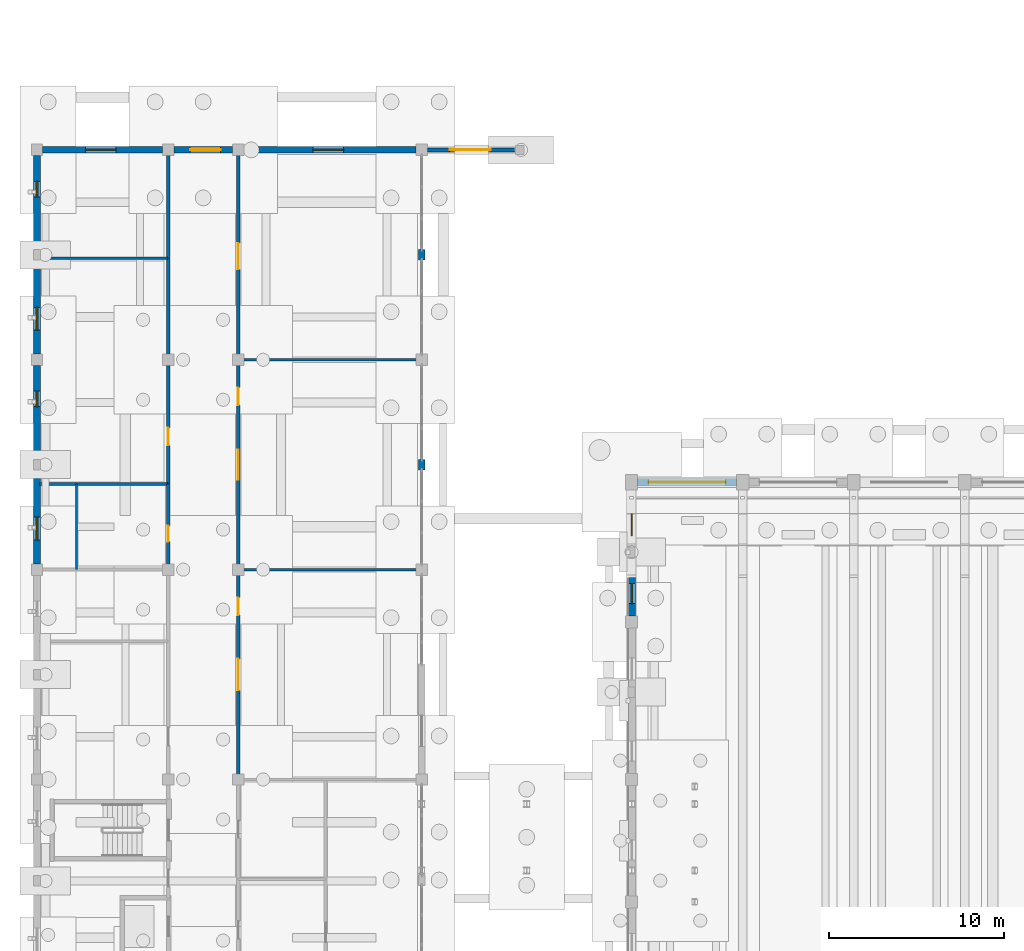
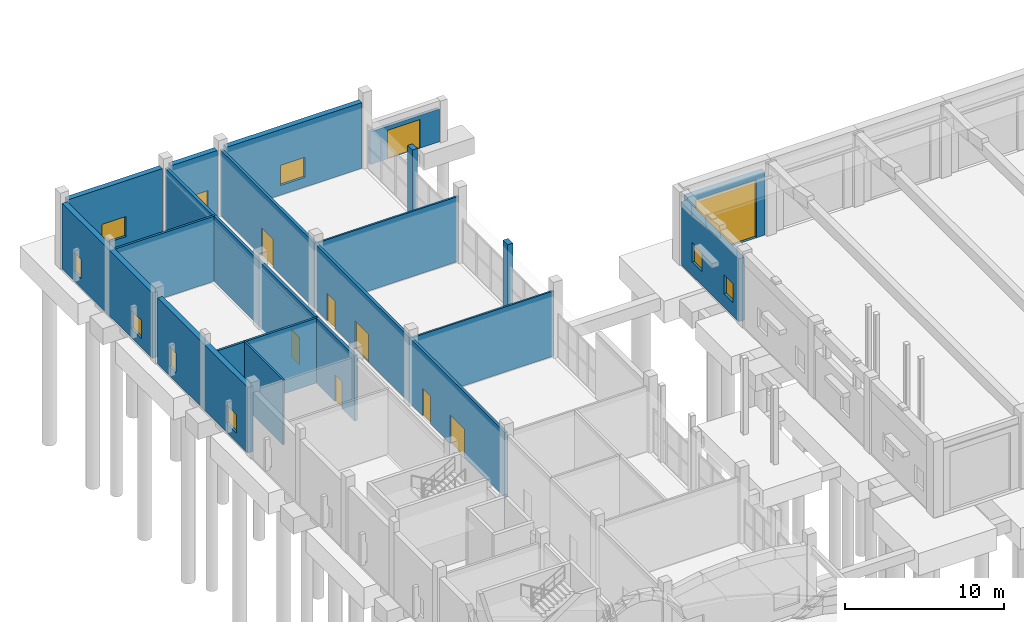
# One storey, part 36 of 60: 20 walls, 10 doors, 8 windows, 18 openings.
"""IFC4 building model written with IfcOpenShell, lengths in metres."""

from ifc_helpers import new_model, si_unit, direction, frame, frame_2d, origin, place, context, subcontext, project, spatial, rectangle, extrude, material, layer, layer_set, type_object, element, fill, save


model = new_model("IFC4")

# Units and contexts
model_context = context("Model", 3, precision=1e-05, world=origin(), true_north=direction((0.0, 1.0)))
body_context = subcontext(model_context, "Body", "Model", "MODEL_VIEW")
ifc_project = project(units=[si_unit("LENGTHUNIT", "METRE"), si_unit("AREAUNIT", "SQUARE_METRE"), si_unit("VOLUMEUNIT", "CUBIC_METRE"), si_unit("PLANEANGLEUNIT", "RADIAN"), si_unit("MASSUNIT", "GRAM", prefix="KILO")], contexts=[model_context])

# Site, building, storey
site_placement = place(None, origin())
site = spatial("IfcSite", under=ifc_project, at=site_placement, CompositionType="ELEMENT")
building_placement = place(site_placement, origin())
building = spatial("IfcBuilding", under=site, at=building_placement, Name="Trellovar Central Fire Station", CompositionType="ELEMENT")
storey_placement = place(building_placement, origin())
storey = spatial("IfcBuildingStorey", under=building, at=storey_placement, Name="L01", CompositionType="ELEMENT", Elevation=0.0)

# Wall, opening, door
ifc_material_1 = material(Name="Catalan polychrome brickwork with insulated cavity", Category="masonry")
ifc_layer_1 = layer(ifc_material_1, 0.419921875)
ifc_layer_set_1 = layer_set([ifc_layer_1], Name="Catalan polychrome brickwork with insulated cavity")
wall_type_1 = type_object("IfcWallType", Name="EW-1", PredefinedType="STANDARD", material=ifc_layer_set_1)
wall_1_placement = place(storey_placement, frame((41.0, 46.0, 0.0), z_axis=(0.0, 0.0, 1.0), x_axis=(-1.0, 0.0, 0.0)))
wall_1 = element("IfcWall", 1, at=wall_1_placement, inside=storey, type_object=wall_type_1, Name="V1 north facade bay 1", PredefinedType="STANDARD", context=body_context, shape_type="SweptSolid", body=[
    extrude(rectangle(XDim=5.64990234375, YDim=0.419921875, at=frame_2d((2.824951171875, 0.0))), origin(), (0.0, 0.0, 1.0), 4.840087890625),
])
opening_1_placement = place(wall_1_placement, frame((0.625, 0.0, 0.0)))
opening_1 = element("IfcOpeningElement", 2, at=opening_1_placement, cuts=wall_1, Name="Opening BD-1", PredefinedType="OPENING", context=body_context, shape_type="SweptSolid", body=[
    extrude(rectangle(XDim=4.39990234375, YDim=4.449951171875, at=frame_2d((2.199951171875, 2.22509765625))), frame((0.0, 0.219970703125, 0.0), z_axis=(0.0, -1.0, 0.0), x_axis=(1.0, 0.0, 0.0)), (0.0, 0.0, 1.0), 0.43994140625),
])
ifc_material_2 = material(Name="Glazed terracotta-orange insulated steel roller shutter", Category="masonry")
door_type_1 = type_object("IfcDoorType", Name="DR-BAY1", OperationType="ROLLINGUP", PredefinedType="DOOR", material=ifc_material_2)
door_1_placement = place(opening_1_placement, origin())
door_1 = element("IfcDoor", 3, at=door_1_placement, inside=storey, type_object=door_type_1, Name="North yard drive-through bay 1 door", OperationType="ROLLINGUP", OverallHeight=4.449951171875, OverallWidth=4.39990234375, PredefinedType="DOOR", context=body_context, shape_type="SweptSolid", body=[
    extrude(rectangle(XDim=4.39990234375, YDim=4.449951171875, at=frame_2d((2.199951171875, 2.22509765625))), frame((0.0, 0.02490234375, 0.0), z_axis=(0.0, -1.0, 0.0), x_axis=(1.0, 0.0, 0.0)), (0.0, 0.0, 1.0), 0.050048828125),
])
fill(opening_1, door_1)

# Wall, openings, windows
wall_2_placement = place(storey_placement, frame((35.0, 38.35009765625, 0.0), z_axis=(0.0, 0.0, 1.0), x_axis=(0.0, 1.0, 0.0)))
wall_2 = element("IfcWall", 4, at=wall_2_placement, inside=storey, type_object=wall_type_1, Name="V1 W gable lower wall 4", PredefinedType="STANDARD", context=body_context, shape_type="SweptSolid", body=[
    extrude(rectangle(XDim=7.25, YDim=0.419921875, at=frame_2d((3.625, 0.0))), origin(), (0.0, 0.0, 1.0), 4.840087890625),
])
opening_2_placement = place(wall_2_placement, frame((0.699951171875, 0.0, 1.050048828125)))
opening_2 = element("IfcOpeningElement", 5, at=opening_2_placement, cuts=wall_2, Name="Opening W-01", PredefinedType="OPENING", context=body_context, shape_type="SweptSolid", body=[
    extrude(rectangle(XDim=1.14990234375, YDim=1.449951171875, at=frame_2d((0.574951171875, 0.72509765625))), frame((0.0, 0.219970703125, 0.0), z_axis=(0.0, -1.0, 0.0), x_axis=(1.0, 0.0, 0.0)), (0.0, 0.0, 1.0), 0.43994140625),
])
opening_3_placement = place(wall_2_placement, frame((4.60009765625, 0.0, 1.050048828125)))
opening_3 = element("IfcOpeningElement", 6, at=opening_3_placement, cuts=wall_2, Name="Opening W-14", PredefinedType="OPENING", context=body_context, shape_type="SweptSolid", body=[
    extrude(rectangle(XDim=1.25, YDim=1.5, at=frame_2d((0.625, 0.75))), frame((0.0, 0.219970703125, 0.0), z_axis=(0.0, -1.0, 0.0), x_axis=(1.0, 0.0, 0.0)), (0.0, 0.0, 1.0), 0.43994140625),
])
ifc_material_3 = material(Name="Thermally broken bronze anodized aluminum", Category="aluminium")
window_type_1 = type_object("IfcWindowType", Name="WIN-01", PartitioningType="SINGLE_PANEL", PredefinedType="WINDOW", material=ifc_material_3)
window_1_placement = place(opening_2_placement, origin())
window_1 = element("IfcWindow", 7, at=window_1_placement, inside=storey, type_object=window_type_1, Name="L01 window W-01", OverallHeight=1.449951171875, OverallWidth=1.14990234375, PartitioningType="SINGLE_PANEL", PredefinedType="WINDOW", context=body_context, shape_type="SweptSolid", body=[
    extrude(rectangle(XDim=1.14990234375, YDim=1.449951171875, at=frame_2d((0.574951171875, 0.72509765625))), frame((0.0, 0.030029296875, 0.0), z_axis=(0.0, -1.0, 0.0), x_axis=(1.0, 0.0, 0.0)), (0.0, 0.0, 1.0), 0.06005859375),
])
fill(opening_2, window_1)
ifc_material_4 = material(Name="Thermally broken bronze anodized aluminum", Category="aluminium")
window_type_2 = type_object("IfcWindowType", Name="WIN-14", PartitioningType="SINGLE_PANEL", PredefinedType="WINDOW", material=ifc_material_4)
window_2_placement = place(opening_3_placement, origin())
window_2 = element("IfcWindow", 8, at=window_2_placement, inside=storey, type_object=window_type_2, Name="L01 window W-14", OverallHeight=1.5, OverallWidth=1.25, PartitioningType="SINGLE_PANEL", PredefinedType="WINDOW", context=body_context, shape_type="SweptSolid", body=[
    extrude(rectangle(XDim=1.25, YDim=1.5, at=frame_2d((0.625, 0.75))), frame((0.0, 0.030029296875, 0.0), z_axis=(0.0, -1.0, 0.0), x_axis=(1.0, 0.0, 0.0)), (0.0, 0.0, 1.0), 0.06005859375),
])
fill(opening_3, window_2)

# Wall, opening, window
ifc_material_5 = material(Name="Catalan polychrome brickwork with insulated cavity", Category="masonry")
ifc_layer_2 = layer(ifc_material_5, 0.3798828125)
ifc_layer_set_2 = layer_set([ifc_layer_2], Name="Catalan polychrome brickwork with insulated cavity")
wall_type_2 = type_object("IfcWallType", Name="EW-2", PredefinedType="STANDARD", material=ifc_layer_set_2)
wall_3_placement = place(storey_placement, frame((8.175048828125, 65.0, 0.0), z_axis=(0.0, 0.0, 1.0), x_axis=(-1.0, 0.0, 0.0)))
wall_3 = element("IfcWall", 9, at=wall_3_placement, inside=storey, type_object=wall_type_2, Name="V4 L01 north wall 1", PredefinedType="STANDARD", context=body_context, shape_type="SweptSolid", body=[
    extrude(rectangle(XDim=6.85009765625, YDim=0.3798828125, at=frame_2d((3.425048828125, 0.0))), origin(), (0.0, 0.0, 1.0), 5.050048828125),
])
opening_4_placement = place(wall_3_placement, frame((2.64990234375, 0.0, 0.75)))
opening_4 = element("IfcOpeningElement", 10, at=opening_4_placement, cuts=wall_3, Name="Opening W-03", PredefinedType="OPENING", context=body_context, shape_type="SweptSolid", body=[
    extrude(rectangle(XDim=1.75, YDim=1.550048828125, at=frame_2d((0.875, 0.77490234375))), frame((0.0, 0.199951171875, 0.0), z_axis=(0.0, -1.0, 0.0), x_axis=(1.0, 0.0, 0.0)), (0.0, 0.0, 1.0), 0.39990234375),
])
ifc_material_6 = material(Name="Thermally broken bronze anodized aluminum", Category="aluminium")
window_type_3 = type_object("IfcWindowType", Name="WIN-03", PartitioningType="DOUBLE_PANEL_VERTICAL", PredefinedType="WINDOW", material=ifc_material_6)
window_3_placement = place(opening_4_placement, origin())
window_3 = element("IfcWindow", 11, at=window_3_placement, inside=storey, type_object=window_type_3, Name="L01 window W-03", OverallHeight=1.550048828125, OverallWidth=1.75, PartitioningType="DOUBLE_PANEL_VERTICAL", PredefinedType="WINDOW", context=body_context, shape_type="SweptSolid", body=[
    extrude(rectangle(XDim=1.75, YDim=1.550048828125, at=frame_2d((0.875, 0.77490234375))), frame((0.0, 0.030029296875, 0.0), z_axis=(0.0, -1.0, 0.0), x_axis=(1.0, 0.0, 0.0)), (0.0, 0.0, 1.0), 0.06005859375),
])
fill(opening_4, window_3)

# Wall, opening, door
wall_4_placement = place(storey_placement, frame((12.175048828125, 65.0, 0.0), z_axis=(0.0, 0.0, 1.0), x_axis=(-1.0, 0.0, 0.0)))
wall_4 = element("IfcWall", 12, at=wall_4_placement, inside=storey, type_object=wall_type_2, Name="V4 L01 north wall 2", PredefinedType="STANDARD", context=body_context, shape_type="SweptSolid", body=[
    extrude(rectangle(XDim=3.35009765625, YDim=0.3798828125, at=frame_2d((1.675048828125, 0.0))), origin(), (0.0, 0.0, 1.0), 5.050048828125),
])
opening_5_placement = place(wall_4_placement, frame((0.675048828125, 0.0, 0.0)))
opening_5 = element("IfcOpeningElement", 13, at=opening_5_placement, cuts=wall_4, Name="Opening EX-2", PredefinedType="OPENING", context=body_context, shape_type="SweptSolid", body=[
    extrude(rectangle(XDim=1.75, YDim=2.199951171875, at=frame_2d((0.875, 1.10009765625))), frame((0.0, 0.199951171875, 0.0), z_axis=(0.0, -1.0, 0.0), x_axis=(1.0, 0.0, 0.0)), (0.0, 0.0, 1.0), 0.39990234375),
])
ifc_material_7 = material(Name="Hollow galvanized steel with acoustic core", Category="steel")
door_type_2 = type_object("IfcDoorType", Name="DR-EXT2", OperationType="DOUBLE_DOOR_SINGLE_SWING", PredefinedType="DOOR", material=ifc_material_7)
door_2_placement = place(opening_5_placement, frame((1.75, 0.0, 0.0), z_axis=(0.0, 0.0, 1.0), x_axis=(-1.0, 0.0, 0.0)))
door_2 = element("IfcDoor", 14, at=door_2_placement, inside=storey, type_object=door_type_2, Name="Crew corridor north drill yard exit", OperationType="DOUBLE_DOOR_SINGLE_SWING", OverallHeight=2.199951171875, OverallWidth=1.75, PredefinedType="DOOR", context=body_context, shape_type="SweptSolid", body=[
    extrude(rectangle(XDim=1.75, YDim=2.199951171875, at=frame_2d((0.875, 1.10009765625))), frame((0.0, 0.02490234375, 0.0), z_axis=(0.0, -1.0, 0.0), x_axis=(1.0, 0.0, 0.0)), (0.0, 0.0, 1.0), 0.050048828125),
])
fill(opening_5, door_2)

# Wall, opening, window
wall_5_placement = place(storey_placement, frame((22.675048828125, 65.0, 0.0), z_axis=(0.0, 0.0, 1.0), x_axis=(-1.0, 0.0, 0.0)))
wall_5 = element("IfcWall", 15, at=wall_5_placement, inside=storey, type_object=wall_type_2, Name="V4 L01 north wall 3", PredefinedType="STANDARD", context=body_context, shape_type="SweptSolid", body=[
    extrude(rectangle(XDim=9.85009765625, YDim=0.3798828125, at=frame_2d((4.925048828125, 0.0))), origin(), (0.0, 0.0, 1.0), 5.050048828125),
])
opening_6_placement = place(wall_5_placement, frame((4.14990234375, 0.0, 0.75)))
opening_6 = element("IfcOpeningElement", 16, at=opening_6_placement, cuts=wall_5, Name="Opening W-03", PredefinedType="OPENING", context=body_context, shape_type="SweptSolid", body=[
    extrude(rectangle(XDim=1.75, YDim=1.550048828125, at=frame_2d((0.875, 0.77490234375))), frame((0.0, 0.199951171875, 0.0), z_axis=(0.0, -1.0, 0.0), x_axis=(1.0, 0.0, 0.0)), (0.0, 0.0, 1.0), 0.39990234375),
])
window_4_placement = place(opening_6_placement, origin())
window_4 = element("IfcWindow", 17, at=window_4_placement, inside=storey, type_object=window_type_3, Name="L01 window W-03", OverallHeight=1.550048828125, OverallWidth=1.75, PartitioningType="DOUBLE_PANEL_VERTICAL", PredefinedType="WINDOW", context=body_context, shape_type="SweptSolid", body=[
    extrude(rectangle(XDim=1.75, YDim=1.550048828125, at=frame_2d((0.875, 0.77490234375))), frame((0.0, 0.030029296875, 0.0), z_axis=(0.0, -1.0, 0.0), x_axis=(1.0, 0.0, 0.0)), (0.0, 0.0, 1.0), 0.06005859375),
])
fill(opening_6, window_4)

# Wall, openings, windows
wall_6_placement = place(storey_placement, frame((1.0, 52.675048828125, 0.0), z_axis=(0.0, 0.0, 1.0), x_axis=(0.0, -1.0, 0.0)))
wall_6 = element("IfcWall", 18, at=wall_6_placement, inside=storey, type_object=wall_type_2, Name="V4 L01 west wall", PredefinedType="STANDARD", context=body_context, shape_type="SweptSolid", body=[
    extrude(rectangle(XDim=11.35009765625, YDim=0.3798828125, at=frame_2d((5.675048828125, 0.0))), origin(), (0.0, 0.0, 1.0), 5.050048828125),
])
opening_7_placement = place(wall_6_placement, frame((1.47509765625, 0.0, 0.699951171875)))
opening_7 = element("IfcOpeningElement", 19, at=opening_7_placement, cuts=wall_6, Name="Opening W-07", PredefinedType="OPENING", context=body_context, shape_type="SweptSolid", body=[
    extrude(rectangle(XDim=0.8798828125, YDim=1.5, at=frame_2d((0.43994140625, 0.75))), frame((0.0, 0.199951171875, 0.0), z_axis=(0.0, -1.0, 0.0), x_axis=(1.0, 0.0, 0.0)), (0.0, 0.0, 1.0), 0.39990234375),
])
opening_8_placement = place(wall_6_placement, frame((8.675048828125, 0.0, 0.699951171875)))
opening_8 = element("IfcOpeningElement", 20, at=opening_8_placement, cuts=wall_6, Name="Opening W-09", PredefinedType="OPENING", context=body_context, shape_type="SweptSolid", body=[
    extrude(rectangle(XDim=1.300048828125, YDim=1.39990234375, at=frame_2d((0.64990234375, 0.699951171875))), frame((0.0, 0.199951171875, 0.0), z_axis=(0.0, -1.0, 0.0), x_axis=(1.0, 0.0, 0.0)), (0.0, 0.0, 1.0), 0.39990234375),
])
ifc_material_8 = material(Name="Thermally broken bronze anodized aluminum", Category="aluminium")
window_type_4 = type_object("IfcWindowType", Name="WIN-07", PartitioningType="SINGLE_PANEL", PredefinedType="WINDOW", material=ifc_material_8)
window_5_placement = place(opening_7_placement, origin())
window_5 = element("IfcWindow", 21, at=window_5_placement, inside=storey, type_object=window_type_4, Name="L01 window W-07", OverallHeight=1.5, OverallWidth=0.8798828125, PartitioningType="SINGLE_PANEL", PredefinedType="WINDOW", context=body_context, shape_type="SweptSolid", body=[
    extrude(rectangle(XDim=0.8798828125, YDim=1.5, at=frame_2d((0.43994140625, 0.75))), frame((0.0, 0.030029296875, 0.0), z_axis=(0.0, -1.0, 0.0), x_axis=(1.0, 0.0, 0.0)), (0.0, 0.0, 1.0), 0.06005859375),
])
fill(opening_7, window_5)
ifc_material_9 = material(Name="Thermally broken bronze anodized aluminum", Category="aluminium")
window_type_5 = type_object("IfcWindowType", Name="WIN-09", PartitioningType="SINGLE_PANEL", PredefinedType="WINDOW", material=ifc_material_9)
window_6_placement = place(opening_8_placement, origin())
window_6 = element("IfcWindow", 22, at=window_6_placement, inside=storey, type_object=window_type_5, Name="L01 window W-09", OverallHeight=1.39990234375, OverallWidth=1.300048828125, PartitioningType="SINGLE_PANEL", PredefinedType="WINDOW", context=body_context, shape_type="SweptSolid", body=[
    extrude(rectangle(XDim=1.300048828125, YDim=1.39990234375, at=frame_2d((0.64990234375, 0.699951171875))), frame((0.0, 0.030029296875, 0.0), z_axis=(0.0, -1.0, 0.0), x_axis=(1.0, 0.0, 0.0)), (0.0, 0.0, 1.0), 0.06005859375),
])
fill(opening_8, window_6)

wall_7_placement = place(storey_placement, frame((1.0, 64.675048828125, 0.0), z_axis=(0.0, 0.0, 1.0), x_axis=(0.0, -1.0, 0.0)))
wall_7 = element("IfcWall", 23, at=wall_7_placement, inside=storey, type_object=wall_type_2, Name="V4 L01 west wall", PredefinedType="STANDARD", context=body_context, shape_type="SweptSolid", body=[
    extrude(rectangle(XDim=11.35009765625, YDim=0.3798828125, at=frame_2d((5.675048828125, 0.0))), origin(), (0.0, 0.0, 1.0), 5.050048828125),
])
opening_9_placement = place(wall_7_placement, frame((1.47509765625, 0.0, 0.699951171875)))
opening_9 = element("IfcOpeningElement", 24, at=opening_9_placement, cuts=wall_7, Name="Opening W-07", PredefinedType="OPENING", context=body_context, shape_type="SweptSolid", body=[
    extrude(rectangle(XDim=0.8798828125, YDim=1.5, at=frame_2d((0.43994140625, 0.75))), frame((0.0, 0.199951171875, 0.0), z_axis=(0.0, -1.0, 0.0), x_axis=(1.0, 0.0, 0.0)), (0.0, 0.0, 1.0), 0.39990234375),
])
opening_10_placement = place(wall_7_placement, frame((8.675048828125, 0.0, 0.699951171875)))
opening_10 = element("IfcOpeningElement", 25, at=opening_10_placement, cuts=wall_7, Name="Opening W-09", PredefinedType="OPENING", context=body_context, shape_type="SweptSolid", body=[
    extrude(rectangle(XDim=1.300048828125, YDim=1.39990234375, at=frame_2d((0.64990234375, 0.699951171875))), frame((0.0, 0.199951171875, 0.0), z_axis=(0.0, -1.0, 0.0), x_axis=(1.0, 0.0, 0.0)), (0.0, 0.0, 1.0), 0.39990234375),
])
window_7_placement = place(opening_9_placement, origin())
window_7 = element("IfcWindow", 26, at=window_7_placement, inside=storey, type_object=window_type_4, Name="L01 window W-07", OverallHeight=1.5, OverallWidth=0.8798828125, PartitioningType="SINGLE_PANEL", PredefinedType="WINDOW", context=body_context, shape_type="SweptSolid", body=[
    extrude(rectangle(XDim=0.8798828125, YDim=1.5, at=frame_2d((0.43994140625, 0.75))), frame((0.0, 0.030029296875, 0.0), z_axis=(0.0, -1.0, 0.0), x_axis=(1.0, 0.0, 0.0)), (0.0, 0.0, 1.0), 0.06005859375),
])
fill(opening_9, window_7)
window_8_placement = place(opening_10_placement, origin())
window_8 = element("IfcWindow", 27, at=window_8_placement, inside=storey, type_object=window_type_5, Name="L01 window W-09", OverallHeight=1.39990234375, OverallWidth=1.300048828125, PartitioningType="SINGLE_PANEL", PredefinedType="WINDOW", context=body_context, shape_type="SweptSolid", body=[
    extrude(rectangle(XDim=1.300048828125, YDim=1.39990234375, at=frame_2d((0.64990234375, 0.699951171875))), frame((0.0, 0.030029296875, 0.0), z_axis=(0.0, -1.0, 0.0), x_axis=(1.0, 0.0, 0.0)), (0.0, 0.0, 1.0), 0.06005859375),
])
fill(opening_10, window_8)

# Walls
for number, where, z_axis, x_axis, name in (
    (28, (23.0, 46.699951171875, 0.0), (0.0, 0.0, 1.0), (0.0, 1.0, 0.0), "V4 L01 courtyard mullion pier"),
    (29, (23.0, 58.699951171875, 0.0), (0.0, 0.0, 1.0), (0.0, 1.0, 0.0), "V4 L01 courtyard mullion pier"),
):
    element("IfcWall", number, at=place(storey_placement, frame(where, z_axis=z_axis, x_axis=x_axis)), inside=storey, type_object=wall_type_2, Name=name, PredefinedType="STANDARD", context=body_context, shape_type="SweptSolid", body=[
        extrude(rectangle(XDim=0.60009765625, YDim=0.3798828125, at=frame_2d((0.300048828125, 0.0))), origin(), (0.0, 0.0, 1.0), 5.050048828125),
    ])

# Wall, opening, door
ifc_material_10 = material(Name="Glazed ceramic trencadis and terracotta panel", Category="masonry")
ifc_layer_3 = layer(ifc_material_10, 0.219970703125)
ifc_layer_set_3 = layer_set([ifc_layer_3], Name="Glazed ceramic trencadis and terracotta panel")
wall_type_3 = type_object("IfcWallType", Name="EW-6", PredefinedType="STANDARD", material=ifc_layer_set_3)
wall_8_placement = place(storey_placement, frame((23.324951171875, 65.0, 0.0), z_axis=(0.0, 0.0, 1.0), x_axis=(1.0, 0.0, 0.0)))
wall_8 = element("IfcWall", 30, at=wall_8_placement, inside=storey, type_object=wall_type_3, Name="Staff car park loop entrance gateway wall", PredefinedType="STANDARD", context=body_context, shape_type="SweptSolid", body=[
    extrude(rectangle(XDim=5.025146484375, YDim=0.219970703125, at=frame_2d((2.5126953125, 0.0))), origin(), (0.0, 0.0, 1.0), 2.52001953125),
])
opening_11_placement = place(wall_8_placement, frame((1.27490234375, 0.0, 0.0)))
opening_11 = element("IfcOpeningElement", 31, at=opening_11_placement, cuts=wall_8, Name="Opening GT-1", PredefinedType="OPENING", context=body_context, shape_type="SweptSolid", body=[
    extrude(rectangle(XDim=2.35009765625, YDim=2.199951171875, at=frame_2d((1.175048828125, 1.10009765625))), frame((0.0, 0.119873046875, 0.0), z_axis=(0.0, -1.0, 0.0), x_axis=(1.0, 0.0, 0.0)), (0.0, 0.0, 1.0), 0.239990234375),
])
ifc_material_11 = material(Name="Patina bronze wrought metalwork", Category="metal")
door_type_3 = type_object("IfcDoorType", Name="DR-GATE1", OperationType="DOUBLE_DOOR_SINGLE_SWING", PredefinedType="DOOR", material=ifc_material_11)
door_3_placement = place(opening_11_placement, origin())
door_3 = element("IfcDoor", 32, at=door_3_placement, inside=storey, type_object=door_type_3, Name="Staff car park loop vehicle entrance gate", OperationType="DOUBLE_DOOR_SINGLE_SWING", OverallHeight=2.199951171875, OverallWidth=2.35009765625, PredefinedType="DOOR", context=body_context, shape_type="SweptSolid", body=[
    extrude(rectangle(XDim=2.35009765625, YDim=2.199951171875, at=frame_2d((1.175048828125, 1.10009765625))), frame((0.0, 0.02490234375, 0.0), z_axis=(0.0, -1.0, 0.0), x_axis=(1.0, 0.0, 0.0)), (0.0, 0.0, 1.0), 0.050048828125),
])
fill(opening_11, door_3)

ifc_material_12 = material(Name="Acoustic concrete masonry unit", Category="masonry")
ifc_layer_4 = layer(ifc_material_12, 0.199951171875)
ifc_layer_set_4 = layer_set([ifc_layer_4], Name="Acoustic concrete masonry unit")
wall_type_4 = type_object("IfcWallType", Name="PT-1", PredefinedType="PARTITIONING", material=ifc_layer_set_4)
wall_9_placement = place(storey_placement, frame((8.5, 41.0, 0.0), z_axis=(0.0, 0.0, 1.0), x_axis=(0.0, 1.0, 0.0)))
wall_9 = element("IfcWall", 33, at=wall_9_placement, inside=storey, type_object=wall_type_4, Name="V4 L01 west corridor spine 5", PredefinedType="PARTITIONING", context=body_context, shape_type="SweptSolid", body=[
    extrude(rectangle(XDim=4.89990234375, YDim=0.199951171875, at=frame_2d((2.449951171875, 0.0))), origin(), (0.0, 0.0, 1.0), 5.0),
])
opening_12_placement = place(wall_9_placement, frame((1.60009765625, 0.0, 0.0)))
opening_12 = element("IfcOpeningElement", 34, at=opening_12_placement, cuts=wall_9, Name="Opening ID-11", PredefinedType="OPENING", context=body_context, shape_type="SweptSolid", body=[
    extrude(rectangle(XDim=0.89990234375, YDim=2.080078125, at=frame_2d((0.449951171875, 1.0400390625))), frame((0.0, 0.10986328125, 0.0), z_axis=(0.0, -1.0, 0.0), x_axis=(1.0, 0.0, 0.0)), (0.0, 0.0, 1.0), 0.219970703125),
])
ifc_material_13 = material(Name="Solid core acoustic white oak veneer", Category="wood")
door_type_4 = type_object("IfcDoorType", Name="DR-INT11", OperationType="SINGLE_SWING_LEFT", PredefinedType="DOOR", material=ifc_material_13)
door_4_placement = place(opening_12_placement, origin())
door_4 = element("IfcDoor", 35, at=door_4_placement, inside=storey, type_object=door_type_4, Name="V4 L01 accessible restroom door", OperationType="SINGLE_SWING_LEFT", OverallHeight=2.080078125, OverallWidth=0.89990234375, PredefinedType="DOOR", context=body_context, shape_type="SweptSolid", body=[
    extrude(rectangle(XDim=0.89990234375, YDim=2.080078125, at=frame_2d((0.449951171875, 1.0400390625))), frame((0.0, 0.02490234375, 0.0), z_axis=(0.0, -1.0, 0.0), x_axis=(1.0, 0.0, 0.0)), (0.0, 0.0, 1.0), 0.050048828125),
])
fill(opening_12, door_4)

wall_10_placement = place(storey_placement, frame((8.5, 45.89990234375, 0.0), z_axis=(0.0, 0.0, 1.0), x_axis=(0.0, 1.0, 0.0)))
wall_10 = element("IfcWall", 36, at=wall_10_placement, inside=storey, type_object=wall_type_4, Name="V4 L01 west corridor spine 6", PredefinedType="PARTITIONING", context=body_context, shape_type="SweptSolid", body=[
    extrude(rectangle(XDim=18.9501953125, YDim=0.199951171875, at=frame_2d((9.47509765625, 0.0))), origin(), (0.0, 0.0, 1.0), 5.0),
])
opening_13_placement = place(wall_10_placement, frame((2.199951171875, 0.0, 0.0)))
opening_13 = element("IfcOpeningElement", 37, at=opening_13_placement, cuts=wall_10, Name="Opening ID-1", PredefinedType="OPENING", context=body_context, shape_type="SweptSolid", body=[
    extrude(rectangle(XDim=1.0, YDim=2.1201171875, at=frame_2d((0.5, 1.06005859375))), frame((0.0, 0.10986328125, 0.0), z_axis=(0.0, -1.0, 0.0), x_axis=(1.0, 0.0, 0.0)), (0.0, 0.0, 1.0), 0.219970703125),
])
ifc_material_14 = material(Name="Solid core acoustic white oak veneer", Category="wood")
door_type_5 = type_object("IfcDoorType", Name="DR-INT1", OperationType="SINGLE_SWING_LEFT", PredefinedType="DOOR", material=ifc_material_14)
door_5_placement = place(opening_13_placement, origin())
door_5 = element("IfcDoor", 38, at=door_5_placement, inside=storey, type_object=door_type_5, Name="V4 L01 north room door", OperationType="SINGLE_SWING_RIGHT", OverallHeight=2.1201171875, OverallWidth=1.0, PredefinedType="DOOR", context=body_context, shape_type="SweptSolid", body=[
    extrude(rectangle(XDim=1.0, YDim=2.1201171875, at=frame_2d((0.5, 1.06005859375))), frame((0.0, 0.02490234375, 0.0), z_axis=(0.0, -1.0, 0.0), x_axis=(1.0, 0.0, 0.0)), (0.0, 0.0, 1.0), 0.050048828125),
])
fill(opening_13, door_5)

# Wall, openings, doors
wall_11_placement = place(storey_placement, frame((12.5, 29.0, 0.0), z_axis=(0.0, 0.0, 1.0), x_axis=(0.0, 1.0, 0.0)))
wall_11 = element("IfcWall", 39, at=wall_11_placement, inside=storey, type_object=wall_type_4, Name="V4 L01 east corridor spine", PredefinedType="PARTITIONING", context=body_context, shape_type="SweptSolid", body=[
    extrude(rectangle(XDim=12.0, YDim=0.199951171875, at=frame_2d((6.0, 0.0))), origin(), (0.0, 0.0, 1.0), 5.0),
])
opening_14_placement = place(wall_11_placement, frame((5.10009765625, 0.0, 0.0)))
opening_14 = element("IfcOpeningElement", 40, at=opening_14_placement, cuts=wall_11, Name="Opening ID-3", PredefinedType="OPENING", context=body_context, shape_type="SweptSolid", body=[
    extrude(rectangle(XDim=1.800048828125, YDim=2.179931640625, at=frame_2d((0.89990234375, 1.08984375))), frame((0.0, 0.10986328125, 0.0), z_axis=(0.0, -1.0, 0.0), x_axis=(1.0, 0.0, 0.0)), (0.0, 0.0, 1.0), 0.219970703125),
])
opening_15_placement = place(wall_11_placement, frame((9.39990234375, 0.0, 0.0)))
opening_15 = element("IfcOpeningElement", 41, at=opening_15_placement, cuts=wall_11, Name="Opening ID-1", PredefinedType="OPENING", context=body_context, shape_type="SweptSolid", body=[
    extrude(rectangle(XDim=1.0, YDim=2.1201171875, at=frame_2d((0.5, 1.06005859375))), frame((0.0, 0.10986328125, 0.0), z_axis=(0.0, -1.0, 0.0), x_axis=(1.0, 0.0, 0.0)), (0.0, 0.0, 1.0), 0.219970703125),
])
door_6_placement = place(opening_15_placement, origin())
door_6 = element("IfcDoor", 42, at=door_6_placement, inside=storey, type_object=door_type_5, Name="V4 L01 east secondary door", OperationType="SINGLE_SWING_RIGHT", OverallHeight=2.1201171875, OverallWidth=1.0, PredefinedType="DOOR", context=body_context, shape_type="SweptSolid", body=[
    extrude(rectangle(XDim=1.0, YDim=2.1201171875, at=frame_2d((0.5, 1.06005859375))), frame((0.0, 0.02490234375, 0.0), z_axis=(0.0, -1.0, 0.0), x_axis=(1.0, 0.0, 0.0)), (0.0, 0.0, 1.0), 0.050048828125),
])
fill(opening_15, door_6)
ifc_material_15 = material(Name="Hollow galvanized steel with acoustic core", Category="steel")
door_type_6 = type_object("IfcDoorType", Name="DR-INT3", OperationType="DOUBLE_DOOR_SINGLE_SWING", PredefinedType="DOOR", material=ifc_material_15)
door_7_placement = place(opening_14_placement, origin())
door_7 = element("IfcDoor", 43, at=door_7_placement, inside=storey, type_object=door_type_6, Name="V4 L01 east room door", OperationType="DOUBLE_DOOR_SINGLE_SWING", OverallHeight=2.179931640625, OverallWidth=1.800048828125, PredefinedType="DOOR", context=body_context, shape_type="SweptSolid", body=[
    extrude(rectangle(XDim=1.800048828125, YDim=2.179931640625, at=frame_2d((0.89990234375, 1.08984375))), frame((0.0, 0.02490234375, 0.0), z_axis=(0.0, -1.0, 0.0), x_axis=(1.0, 0.0, 0.0)), (0.0, 0.0, 1.0), 0.050048828125),
])
fill(opening_14, door_7)

wall_12_placement = place(storey_placement, frame((12.5, 41.0, 0.0), z_axis=(0.0, 0.0, 1.0), x_axis=(0.0, 1.0, 0.0)))
wall_12 = element("IfcWall", 44, at=wall_12_placement, inside=storey, type_object=wall_type_4, Name="V4 L01 east corridor spine", PredefinedType="PARTITIONING", context=body_context, shape_type="SweptSolid", body=[
    extrude(rectangle(XDim=12.0, YDim=0.199951171875, at=frame_2d((6.0, 0.0))), origin(), (0.0, 0.0, 1.0), 5.0),
])
opening_16_placement = place(wall_12_placement, frame((5.14990234375, 0.0, 0.0)))
opening_16 = element("IfcOpeningElement", 45, at=opening_16_placement, cuts=wall_12, Name="Opening ID-10", PredefinedType="OPENING", context=body_context, shape_type="SweptSolid", body=[
    extrude(rectangle(XDim=1.699951171875, YDim=2.159912109375, at=frame_2d((0.85009765625, 1.080078125))), frame((0.0, 0.10986328125, 0.0), z_axis=(0.0, -1.0, 0.0), x_axis=(1.0, 0.0, 0.0)), (0.0, 0.0, 1.0), 0.219970703125),
])
opening_17_placement = place(wall_12_placement, frame((9.39990234375, 0.0, 0.0)))
opening_17 = element("IfcOpeningElement", 46, at=opening_17_placement, cuts=wall_12, Name="Opening ID-1", PredefinedType="OPENING", context=body_context, shape_type="SweptSolid", body=[
    extrude(rectangle(XDim=1.0, YDim=2.1201171875, at=frame_2d((0.5, 1.06005859375))), frame((0.0, 0.10986328125, 0.0), z_axis=(0.0, -1.0, 0.0), x_axis=(1.0, 0.0, 0.0)), (0.0, 0.0, 1.0), 0.219970703125),
])
door_8_placement = place(opening_17_placement, origin())
door_8 = element("IfcDoor", 47, at=door_8_placement, inside=storey, type_object=door_type_5, Name="V4 L01 east secondary door", OperationType="SINGLE_SWING_LEFT", OverallHeight=2.1201171875, OverallWidth=1.0, PredefinedType="DOOR", context=body_context, shape_type="SweptSolid", body=[
    extrude(rectangle(XDim=1.0, YDim=2.1201171875, at=frame_2d((0.5, 1.06005859375))), frame((0.0, 0.02490234375, 0.0), z_axis=(0.0, -1.0, 0.0), x_axis=(1.0, 0.0, 0.0)), (0.0, 0.0, 1.0), 0.050048828125),
])
fill(opening_17, door_8)
ifc_material_16 = material(Name="Hollow galvanized steel with acoustic core", Category="steel")
door_type_7 = type_object("IfcDoorType", Name="DR-INT10", OperationType="DOUBLE_DOOR_SINGLE_SWING", PredefinedType="DOOR", material=ifc_material_16)
door_9_placement = place(opening_16_placement, origin())
door_9 = element("IfcDoor", 48, at=door_9_placement, inside=storey, type_object=door_type_7, Name="V4 L01 east room door", OperationType="DOUBLE_DOOR_SINGLE_SWING", OverallHeight=2.159912109375, OverallWidth=1.699951171875, PredefinedType="DOOR", context=body_context, shape_type="SweptSolid", body=[
    extrude(rectangle(XDim=1.699951171875, YDim=2.159912109375, at=frame_2d((0.85009765625, 1.080078125))), frame((0.0, 0.02490234375, 0.0), z_axis=(0.0, -1.0, 0.0), x_axis=(1.0, 0.0, 0.0)), (0.0, 0.0, 1.0), 0.050048828125),
])
fill(opening_16, door_9)

# Wall, opening, door
wall_13_placement = place(storey_placement, frame((12.5, 53.0, 0.0), z_axis=(0.0, 0.0, 1.0), x_axis=(0.0, 1.0, 0.0)))
wall_13 = element("IfcWall", 49, at=wall_13_placement, inside=storey, type_object=wall_type_4, Name="V4 L01 east corridor spine", PredefinedType="PARTITIONING", context=body_context, shape_type="SweptSolid", body=[
    extrude(rectangle(XDim=11.85009765625, YDim=0.199951171875, at=frame_2d((5.925048828125, 0.0))), origin(), (0.0, 0.0, 1.0), 5.0),
])
opening_18_placement = place(wall_13_placement, frame((5.175048828125, 0.0, 0.0)))
opening_18 = element("IfcOpeningElement", 50, at=opening_18_placement, cuts=wall_13, Name="Opening ID-9", PredefinedType="OPENING", context=body_context, shape_type="SweptSolid", body=[
    extrude(rectangle(XDim=1.5, YDim=2.14990234375, at=frame_2d((0.75, 1.074951171875))), frame((0.0, 0.10986328125, 0.0), z_axis=(0.0, -1.0, 0.0), x_axis=(1.0, 0.0, 0.0)), (0.0, 0.0, 1.0), 0.219970703125),
])
ifc_material_17 = material(Name="Solid core acoustic white oak veneer", Category="wood")
door_type_8 = type_object("IfcDoorType", Name="DR-INT9", OperationType="DOUBLE_DOOR_SINGLE_SWING", PredefinedType="DOOR", material=ifc_material_17)
door_10_placement = place(opening_18_placement, origin())
door_10 = element("IfcDoor", 51, at=door_10_placement, inside=storey, type_object=door_type_8, Name="V4 L01 east room door", OperationType="DOUBLE_DOOR_SINGLE_SWING", OverallHeight=2.14990234375, OverallWidth=1.5, PredefinedType="DOOR", context=body_context, shape_type="SweptSolid", body=[
    extrude(rectangle(XDim=1.5, YDim=2.14990234375, at=frame_2d((0.75, 1.074951171875))), frame((0.0, 0.02490234375, 0.0), z_axis=(0.0, -1.0, 0.0), x_axis=(1.0, 0.0, 0.0)), (0.0, 0.0, 1.0), 0.050048828125),
])
fill(opening_18, door_10)

# Walls
ifc_material_18 = material(Name="Acoustic concrete masonry unit", Category="masonry")
ifc_layer_5 = layer(ifc_material_18, 0.159912109375)
ifc_layer_set_5 = layer_set([ifc_layer_5], Name="Acoustic concrete masonry unit")
wall_type_5 = type_object("IfcWallType", Name="PT-2", PredefinedType="PARTITIONING", material=ifc_layer_set_5)
for number, where, z_axis, x_axis, name in (
    (52, (1.14990234375, 45.89990234375, 0.0), (0.0, 0.0, 1.0), (1.0, 0.0, 0.0), "V4 L01 west divider Y=45.9"),
    (53, (1.14990234375, 58.800048828125, 0.0), (0.0, 0.0, 1.0), (1.0, 0.0, 0.0), "V4 L01 west divider Y=58.8"),
):
    element("IfcWall", number, at=place(storey_placement, frame(where, z_axis=z_axis, x_axis=x_axis)), inside=storey, type_object=wall_type_5, Name=name, PredefinedType="PARTITIONING", context=body_context, shape_type="SweptSolid", body=[
        extrude(rectangle(XDim=7.35009765625, YDim=0.159912109375, at=frame_2d((3.675048828125, 0.0))), origin(), (0.0, 0.0, 1.0), 5.0),
    ])
ifc_material_19 = material(Name="Fire-rated acoustic gypsum stud partition", Category="gypsum")
ifc_layer_6 = layer(ifc_material_19, 0.125)
ifc_layer_set_6 = layer_set([ifc_layer_6], Name="Fire-rated acoustic gypsum stud partition")
wall_type_6 = type_object("IfcWallType", Name="PT-4", PredefinedType="PARTITIONING", material=ifc_layer_set_6)
wall_14_placement = place(storey_placement, frame((3.25, 41.0, 0.0), z_axis=(0.0, 0.0, 1.0), x_axis=(0.0, 1.0, 0.0)))
element("IfcWall", 54, at=wall_14_placement, inside=storey, type_object=wall_type_6, Name="V4 L01 restroom back wall", PredefinedType="PARTITIONING", context=body_context, shape_type="SweptSolid", body=[
    extrude(rectangle(XDim=4.89990234375, YDim=0.125, at=frame_2d((2.449951171875, 0.0))), origin(), (0.0, 0.0, 1.0), 5.0),
])
ifc_material_20 = material(Name="Fire-rated acoustic gypsum stud partition", Category="gypsum")
ifc_layer_7 = layer(ifc_material_20, 0.135009765625)
ifc_layer_set_7 = layer_set([ifc_layer_7], Name="Fire-rated acoustic gypsum stud partition")
wall_type_7 = type_object("IfcWallType", Name="PT-7", PredefinedType="PARTITIONING", material=ifc_layer_set_7)
for number, where, z_axis, x_axis, name in (
    (55, (12.5, 41.0, 0.0), (0.0, 0.0, 1.0), (1.0, 0.0, 0.0), "V4 L01 east room divider Y=41.00"),
    (56, (12.5, 53.0, 0.0), (0.0, 0.0, 1.0), (1.0, 0.0, 0.0), "V4 L01 east room divider Y=53.00"),
):
    element("IfcWall", number, at=place(storey_placement, frame(where, z_axis=z_axis, x_axis=x_axis)), inside=storey, type_object=wall_type_7, Name=name, PredefinedType="PARTITIONING", context=body_context, shape_type="SweptSolid", body=[
        extrude(rectangle(XDim=10.340087890625, YDim=0.135009765625, at=frame_2d((5.169921875, 0.0))), origin(), (0.0, 0.0, 1.0), 5.0),
    ])

save(model, "model.ifc")
